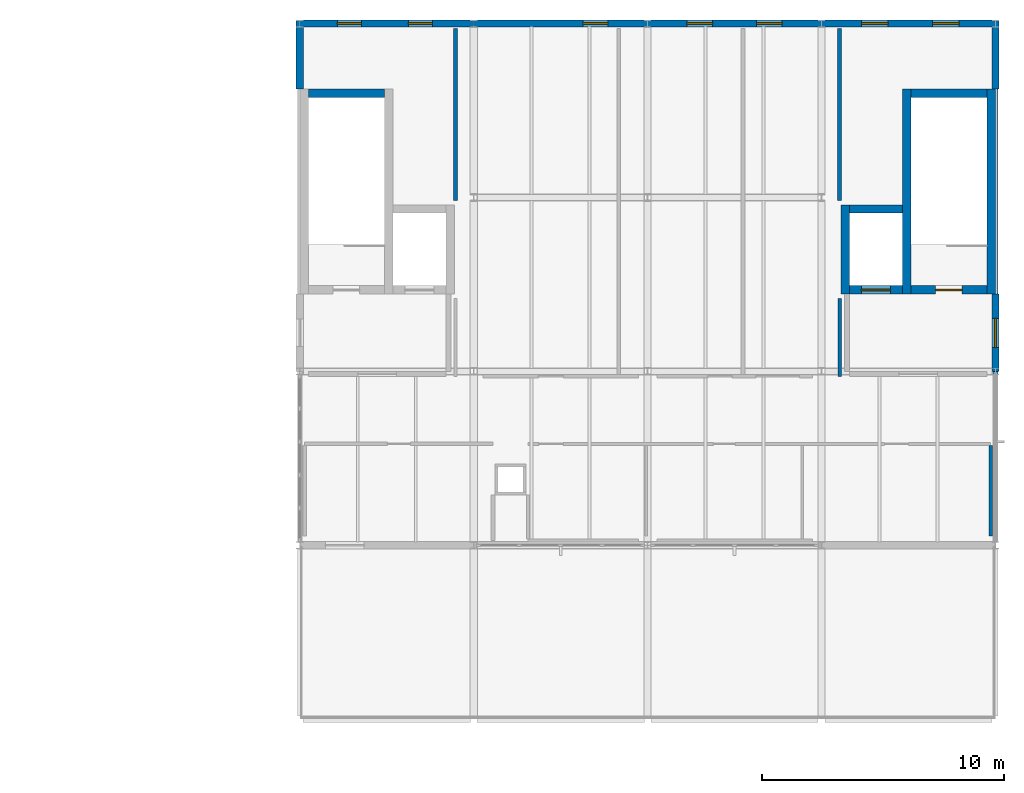
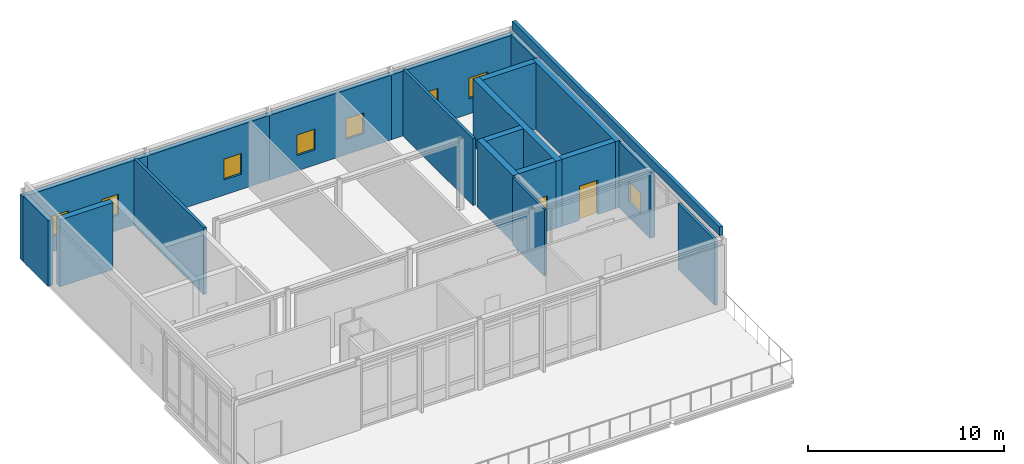
# One storey, part 17 of 21: 20 walls, 8 windows, 2 doors, 10 openings.
"""IFC4 building model written with IfcOpenShell, lengths in metres."""

from ifc_helpers import new_model, si_unit, direction, frame, frame_2d, origin, place, context, subcontext, project, spatial, rectangle, extrude, material, layer, layer_set, type_object, element, fill, save


model = new_model("IFC4")

# Units and contexts
model_context = context("Model", 3, precision=1e-05, world=origin(), true_north=direction((0.0, 1.0)))
body_context = subcontext(model_context, "Body", "Model", "MODEL_VIEW")
ifc_project = project(units=[si_unit("LENGTHUNIT", "METRE"), si_unit("AREAUNIT", "SQUARE_METRE"), si_unit("VOLUMEUNIT", "CUBIC_METRE"), si_unit("PLANEANGLEUNIT", "RADIAN"), si_unit("MASSUNIT", "GRAM", prefix="KILO")], contexts=[model_context])

# Site, building, storey
site_placement = place(None, origin())
site = spatial("IfcSite", under=ifc_project, at=site_placement, CompositionType="ELEMENT")
building_placement = place(site_placement, origin())
building = spatial("IfcBuilding", under=site, at=building_placement, Name="Zarrinpeak Specialist Clinic", CompositionType="ELEMENT")
storey_placement = place(building_placement, frame((0.0, 0.0, 22.800048828125)))
storey = spatial("IfcBuildingStorey", under=building, at=storey_placement, Name="L05", CompositionType="ELEMENT", Elevation=22.800048828125)

# Wall
ifc_material_1 = material(Name="Concrete C40/50", Category="concrete")
ifc_layer_1 = layer(ifc_material_1, 0.35009765625)
ifc_layer_set_1 = layer_set([ifc_layer_1], Name="Concrete C40/50")
wall_type_1 = type_object("IfcWallType", Name="WL-CR350", PredefinedType="SHEAR", material=ifc_layer_set_1)
wall_1_placement = place(storey_placement, frame((36.35009765625, 115.125, 0.0), z_axis=(0.0, 0.0, 1.0), x_axis=(1.0, 0.0, 0.0)))
element("IfcWall", 1, at=wall_1_placement, inside=storey, type_object=wall_type_1, Name="L05 Core C11 Shear Wall STN", PredefinedType="SHEAR", context=body_context, shape_type="SweptSolid", body=[
    extrude(rectangle(XDim=3.14990234375, YDim=0.35009765625, at=frame_2d((1.574951171875, 0.0))), origin(), (0.0, 0.0, 1.0), 4.179931640625),
])

# Wall, opening, door
wall_2_placement = place(storey_placement, frame((61.300048828125, 106.97509765625, 0.0), z_axis=(0.0, 0.0, 1.0), x_axis=(1.0, 0.0, 0.0)))
wall_2 = element("IfcWall", 2, at=wall_2_placement, inside=storey, type_object=wall_type_1, Name="L05 Core C12 Shear Wall STS", PredefinedType="SHEAR", context=body_context, shape_type="SweptSolid", body=[
    extrude(rectangle(XDim=3.14990234375, YDim=0.35009765625, at=frame_2d((1.574951171875, 0.0))), origin(), (0.0, 0.0, 1.0), 4.179931640625),
])
opening_1_placement = place(wall_2_placement, frame((1.02490234375, 0.0, 0.0)))
opening_1 = element("IfcOpeningElement", 3, at=opening_1_placement, cuts=wall_2, Name="Opening D-S02", PredefinedType="OPENING", context=body_context, shape_type="SweptSolid", body=[
    extrude(rectangle(XDim=1.10009765625, YDim=2.14990234375, at=frame_2d((0.550048828125, 1.074951171875))), frame((0.0, 0.18505859375, 0.0), z_axis=(0.0, -1.0, 0.0), x_axis=(1.0, 0.0, 0.0)), (0.0, 0.0, 1.0), 0.3701171875),
])
ifc_material_2 = material(Name="Powder-Coated Galvanised Steel", Category="steel")
door_type_1 = type_object("IfcDoorType", Name="DR-FD110", OperationType="SINGLE_SWING_RIGHT", PredefinedType="DOOR", material=ifc_material_2)
door_1_placement = place(opening_1_placement, origin())
door_1 = element("IfcDoor", 4, at=door_1_placement, inside=storey, type_object=door_type_1, Name="L05 Protected Stair ST-12 Fire Door", OperationType="SINGLE_SWING_RIGHT", OverallHeight=2.14990234375, OverallWidth=1.10009765625, PredefinedType="DOOR", context=body_context, shape_type="SweptSolid", body=[
    extrude(rectangle(XDim=1.10009765625, YDim=2.14990234375, at=frame_2d((0.550048828125, 1.074951171875))), frame((0.0, 0.02490234375, 0.0), z_axis=(0.0, -1.0, 0.0), x_axis=(1.0, 0.0, 0.0)), (0.0, 0.0, 1.0), 0.050048828125),
])
fill(opening_1, door_1)

# Walls
wall_3_placement = place(storey_placement, frame((61.300048828125, 115.125, 0.0), z_axis=(0.0, 0.0, 1.0), x_axis=(1.0, 0.0, 0.0)))
element("IfcWall", 5, at=wall_3_placement, inside=storey, type_object=wall_type_1, Name="L05 Core C12 Shear Wall STN", PredefinedType="SHEAR", context=body_context, shape_type="SweptSolid", body=[
    extrude(rectangle(XDim=3.14990234375, YDim=0.35009765625, at=frame_2d((1.574951171875, 0.0))), origin(), (0.0, 0.0, 1.0), 4.179931640625),
])
for number, where, z_axis, x_axis, name in (
    (6, (61.125, 106.800048828125, 0.0), (0.0, 0.0, 1.0), (0.0, 1.0, 0.0), "L05 Core C12 Shear Wall STW"),
    (7, (64.625, 106.800048828125, 0.0), (0.0, 0.0, 1.0), (0.0, 1.0, 0.0), "L05 Core C12 Shear Wall STE"),
):
    element("IfcWall", number, at=place(storey_placement, frame(where, z_axis=z_axis, x_axis=x_axis)), inside=storey, type_object=wall_type_1, Name=name, PredefinedType="SHEAR", context=body_context, shape_type="SweptSolid", body=[
        extrude(rectangle(XDim=8.5, YDim=0.35009765625, at=frame_2d((4.25, 0.0))), origin(), (0.0, 0.0, 1.0), 4.179931640625),
    ])

# Wall, opening, door
wall_4_placement = place(storey_placement, frame((58.75, 106.97509765625, 0.0), z_axis=(0.0, 0.0, 1.0), x_axis=(1.0, 0.0, 0.0)))
wall_4 = element("IfcWall", 8, at=wall_4_placement, inside=storey, type_object=wall_type_1, Name="L05 Lift LF-P6 Shaft Wall LFS", PredefinedType="SHEAR", context=body_context, shape_type="SweptSolid", body=[
    extrude(rectangle(XDim=2.199951171875, YDim=0.35009765625, at=frame_2d((1.10009765625, 0.0))), origin(), (0.0, 0.0, 1.0), 4.179931640625),
])
opening_2_placement = place(wall_4_placement, frame((0.5, 0.0, 0.0)))
opening_2 = element("IfcOpeningElement", 9, at=opening_2_placement, cuts=wall_4, Name="Opening LD-02", PredefinedType="OPENING", context=body_context, shape_type="SweptSolid", body=[
    extrude(rectangle(XDim=1.199951171875, YDim=2.199951171875, at=frame_2d((0.60009765625, 1.10009765625))), frame((0.0, 0.18505859375, 0.0), z_axis=(0.0, -1.0, 0.0), x_axis=(1.0, 0.0, 0.0)), (0.0, 0.0, 1.0), 0.3701171875),
])
door_type_2 = type_object("IfcDoorType", Name="DR-LD120", OperationType="SLIDING_TO_RIGHT", PredefinedType="DOOR", material=ifc_material_2)
door_2_placement = place(opening_2_placement, origin())
door_2 = element("IfcDoor", 10, at=door_2_placement, inside=storey, type_object=door_type_2, Name="L05 Lift LF-P6 Sliding Landing Door", OperationType="SLIDING_TO_RIGHT", OverallHeight=2.199951171875, OverallWidth=1.199951171875, PredefinedType="DOOR", context=body_context, shape_type="SweptSolid", body=[
    extrude(rectangle(XDim=1.199951171875, YDim=2.199951171875, at=frame_2d((0.60009765625, 1.10009765625))), frame((0.0, 0.02490234375, 0.0), z_axis=(0.0, -1.0, 0.0), x_axis=(1.0, 0.0, 0.0)), (0.0, 0.0, 1.0), 0.050048828125),
])
fill(opening_2, door_2)

# Walls
wall_5_placement = place(storey_placement, frame((58.75, 110.324951171875, 0.0), z_axis=(0.0, 0.0, 1.0), x_axis=(1.0, 0.0, 0.0)))
element("IfcWall", 11, at=wall_5_placement, inside=storey, type_object=wall_type_1, Name="L05 Lift LF-P6 Shaft Wall LFN", PredefinedType="SHEAR", context=body_context, shape_type="SweptSolid", body=[
    extrude(rectangle(XDim=2.199951171875, YDim=0.35009765625, at=frame_2d((1.10009765625, 0.0))), origin(), (0.0, 0.0, 1.0), 4.179931640625),
])
wall_6_placement = place(storey_placement, frame((58.574951171875, 106.800048828125, 0.0), z_axis=(0.0, 0.0, 1.0), x_axis=(0.0, 1.0, 0.0)))
element("IfcWall", 12, at=wall_6_placement, inside=storey, type_object=wall_type_1, Name="L05 Lift LF-P6 Shaft Wall LFW", PredefinedType="SHEAR", context=body_context, shape_type="SweptSolid", body=[
    extrude(rectangle(XDim=3.699951171875, YDim=0.35009765625, at=frame_2d((1.85009765625, 0.0))), origin(), (0.0, 0.0, 1.0), 4.179931640625),
])

# Wall, openings, windows
ifc_material_3 = material(Name="Precast concrete C40/50", Category="concrete")
ifc_layer_2 = layer(ifc_material_3, 0.300048828125)
ifc_layer_set_2 = layer_set([ifc_layer_2], Name="Precast concrete C40/50")
wall_type_2 = type_object("IfcWallType", Name="WL-EW300", PredefinedType="STANDARD", material=ifc_layer_set_2)
wall_7_placement = place(storey_placement, frame((43.199951171875, 118.0, 0.0), z_axis=(0.0, 0.0, 1.0), x_axis=(-1.0, 0.0, 0.0)))
wall_7 = element("IfcWall", 13, at=wall_7_placement, inside=storey, type_object=wall_type_2, Name="L05 V6 Exterior GRC Wall EW-L05-V6-0323", PredefinedType="STANDARD", context=body_context, shape_type="SweptSolid", body=[
    extrude(rectangle(XDim=7.349853515625, YDim=0.300048828125, at=frame_2d((3.6748046875, 0.0))), origin(), (0.0, 0.0, 1.0), 4.034912109375),
])
opening_3_placement = place(wall_7_placement, frame((1.70703125, 0.0, 0.949951171875)))
opening_3 = element("IfcOpeningElement", 14, at=opening_3_placement, cuts=wall_7, Name="Opening WS-18", PredefinedType="OPENING", context=body_context, shape_type="SweptSolid", body=[
    extrude(rectangle(XDim=0.99609375, YDim=1.2958984375, at=frame_2d((0.498046875, 0.64794921875))), frame((0.0, 0.16015625, 0.0), z_axis=(0.0, -1.0, 0.0), x_axis=(1.0, 0.0, 0.0)), (0.0, 0.0, 1.0), 0.320068359375),
])
opening_4_placement = place(wall_7_placement, frame((4.64697265625, 0.0, 0.949951171875)))
opening_4 = element("IfcOpeningElement", 15, at=opening_4_placement, cuts=wall_7, Name="Opening WS-18", PredefinedType="OPENING", context=body_context, shape_type="SweptSolid", body=[
    extrude(rectangle(XDim=0.99609375, YDim=1.2958984375, at=frame_2d((0.498046875, 0.64794921875))), frame((0.0, 0.16015625, 0.0), z_axis=(0.0, -1.0, 0.0), x_axis=(1.0, 0.0, 0.0)), (0.0, 0.0, 1.0), 0.320068359375),
])
ifc_material_4 = material(Name="Thermally Broken Aluminium and Low-E Glazing", Category="aluminium")
window_type_1 = type_object("IfcWindowType", Name="WN-SP18", PartitioningType="SINGLE_PANEL", PredefinedType="WINDOW", material=ifc_material_4)
window_1_placement = place(opening_3_placement, origin())
window_1 = element("IfcWindow", 16, at=window_1_placement, inside=storey, type_object=window_type_1, Name="L05 Modular Facade Window WN-L05-0360", OverallHeight=1.2958984375, OverallWidth=0.99609375, PartitioningType="SINGLE_PANEL", PredefinedType="WINDOW", context=body_context, shape_type="SweptSolid", body=[
    extrude(rectangle(XDim=0.99609375, YDim=1.2958984375, at=frame_2d((0.498046875, 0.64794921875))), frame((0.0, 0.030029296875, 0.0), z_axis=(0.0, -1.0, 0.0), x_axis=(1.0, 0.0, 0.0)), (0.0, 0.0, 1.0), 0.06005859375),
])
fill(opening_3, window_1)
window_2_placement = place(opening_4_placement, origin())
window_2 = element("IfcWindow", 17, at=window_2_placement, inside=storey, type_object=window_type_1, Name="L05 Modular Facade Window WN-L05-0361", OverallHeight=1.2958984375, OverallWidth=0.99609375, PartitioningType="SINGLE_PANEL", PredefinedType="WINDOW", context=body_context, shape_type="SweptSolid", body=[
    extrude(rectangle(XDim=0.99609375, YDim=1.2958984375, at=frame_2d((0.498046875, 0.64794921875))), frame((0.0, 0.030029296875, 0.0), z_axis=(0.0, -1.0, 0.0), x_axis=(1.0, 0.0, 0.0)), (0.0, 0.0, 1.0), 0.06005859375),
])
fill(opening_4, window_2)

# Wall, opening, window
wall_8_placement = place(storey_placement, frame((50.39990234375, 118.0, 0.0), z_axis=(0.0, 0.0, 1.0), x_axis=(-1.0, 0.0, 0.0)))
wall_8 = element("IfcWall", 18, at=wall_8_placement, inside=storey, type_object=wall_type_2, Name="L05 V6 Exterior GRC Wall EW-L05-V6-0324", PredefinedType="STANDARD", context=body_context, shape_type="SweptSolid", body=[
    extrude(rectangle(XDim=7.199951171875, YDim=0.300048828125, at=frame_2d((3.60009765625, 0.0))), origin(), (0.0, 0.0, 1.0), 4.034912109375),
])
opening_5_placement = place(wall_8_placement, frame((1.64501953125, 0.0, 0.949951171875)))
opening_5 = element("IfcOpeningElement", 19, at=opening_5_placement, cuts=wall_8, Name="Opening WS-19", PredefinedType="OPENING", context=body_context, shape_type="SweptSolid", body=[
    extrude(rectangle(XDim=1.030029296875, YDim=1.2958984375, at=frame_2d((0.51513671875, 0.64794921875))), frame((0.0, 0.16015625, 0.0), z_axis=(0.0, -1.0, 0.0), x_axis=(1.0, 0.0, 0.0)), (0.0, 0.0, 1.0), 0.320068359375),
])
window_type_2 = type_object("IfcWindowType", Name="WN-SP19", PartitioningType="SINGLE_PANEL", PredefinedType="WINDOW", material=ifc_material_4)
window_3_placement = place(opening_5_placement, origin())
window_3 = element("IfcWindow", 20, at=window_3_placement, inside=storey, type_object=window_type_2, Name="L05 Modular Facade Window WN-L05-0362", OverallHeight=1.2958984375, OverallWidth=1.030029296875, PartitioningType="SINGLE_PANEL", PredefinedType="WINDOW", context=body_context, shape_type="SweptSolid", body=[
    extrude(rectangle(XDim=1.030029296875, YDim=1.2958984375, at=frame_2d((0.51513671875, 0.64794921875))), frame((0.0, 0.030029296875, 0.0), z_axis=(0.0, -1.0, 0.0), x_axis=(1.0, 0.0, 0.0)), (0.0, 0.0, 1.0), 0.06005859375),
])
fill(opening_5, window_3)

# Wall, openings, windows
wall_9_placement = place(storey_placement, frame((57.60009765625, 118.0, 0.0), z_axis=(0.0, 0.0, 1.0), x_axis=(-1.0, 0.0, 0.0)))
wall_9 = element("IfcWall", 21, at=wall_9_placement, inside=storey, type_object=wall_type_2, Name="L05 V6 Exterior GRC Wall EW-L05-V6-0325", PredefinedType="STANDARD", context=body_context, shape_type="SweptSolid", body=[
    extrude(rectangle(XDim=7.2001953125, YDim=0.300048828125, at=frame_2d((3.60009765625, 0.0))), origin(), (0.0, 0.0, 1.0), 4.034912109375),
])
opening_6_placement = place(wall_9_placement, frame((1.6279296875, 0.0, 0.949951171875)))
opening_6 = element("IfcOpeningElement", 22, at=opening_6_placement, cuts=wall_9, Name="Opening WS-20", PredefinedType="OPENING", context=body_context, shape_type="SweptSolid", body=[
    extrude(rectangle(XDim=1.06396484375, YDim=1.2958984375, at=frame_2d((0.531982421875, 0.64794921875))), frame((0.0, 0.16015625, 0.0), z_axis=(0.0, -1.0, 0.0), x_axis=(1.0, 0.0, 0.0)), (0.0, 0.0, 1.0), 0.320068359375),
])
opening_7_placement = place(wall_9_placement, frame((4.508056640625, 0.0, 0.949951171875)))
opening_7 = element("IfcOpeningElement", 23, at=opening_7_placement, cuts=wall_9, Name="Opening WS-20", PredefinedType="OPENING", context=body_context, shape_type="SweptSolid", body=[
    extrude(rectangle(XDim=1.06396484375, YDim=1.2958984375, at=frame_2d((0.531982421875, 0.64794921875))), frame((0.0, 0.16015625, 0.0), z_axis=(0.0, -1.0, 0.0), x_axis=(1.0, 0.0, 0.0)), (0.0, 0.0, 1.0), 0.320068359375),
])
window_type_3 = type_object("IfcWindowType", Name="WN-SP20", PartitioningType="SINGLE_PANEL", PredefinedType="WINDOW", material=ifc_material_4)
window_4_placement = place(opening_6_placement, origin())
window_4 = element("IfcWindow", 24, at=window_4_placement, inside=storey, type_object=window_type_3, Name="L05 Modular Facade Window WN-L05-0363", OverallHeight=1.2958984375, OverallWidth=1.06396484375, PartitioningType="SINGLE_PANEL", PredefinedType="WINDOW", context=body_context, shape_type="SweptSolid", body=[
    extrude(rectangle(XDim=1.06396484375, YDim=1.2958984375, at=frame_2d((0.531982421875, 0.64794921875))), frame((0.0, 0.030029296875, 0.0), z_axis=(0.0, -1.0, 0.0), x_axis=(1.0, 0.0, 0.0)), (0.0, 0.0, 1.0), 0.06005859375),
])
fill(opening_6, window_4)
window_5_placement = place(opening_7_placement, origin())
window_5 = element("IfcWindow", 25, at=window_5_placement, inside=storey, type_object=window_type_3, Name="L05 Modular Facade Window WN-L05-0364", OverallHeight=1.2958984375, OverallWidth=1.06396484375, PartitioningType="SINGLE_PANEL", PredefinedType="WINDOW", context=body_context, shape_type="SweptSolid", body=[
    extrude(rectangle(XDim=1.06396484375, YDim=1.2958984375, at=frame_2d((0.531982421875, 0.64794921875))), frame((0.0, 0.030029296875, 0.0), z_axis=(0.0, -1.0, 0.0), x_axis=(1.0, 0.0, 0.0)), (0.0, 0.0, 1.0), 0.06005859375),
])
fill(opening_7, window_5)

wall_10_placement = place(storey_placement, frame((64.949951171875, 118.0, 0.0), z_axis=(0.0, 0.0, 1.0), x_axis=(-1.0, 0.0, 0.0)))
wall_10 = element("IfcWall", 26, at=wall_10_placement, inside=storey, type_object=wall_type_2, Name="L05 V6 Exterior GRC Wall EW-L05-V6-0326", PredefinedType="STANDARD", context=body_context, shape_type="SweptSolid", body=[
    extrude(rectangle(XDim=7.349853515625, YDim=0.300048828125, at=frame_2d((3.6748046875, 0.0))), origin(), (0.0, 0.0, 1.0), 4.034912109375),
])
opening_8_placement = place(wall_10_placement, frame((1.656005859375, 0.0, 0.949951171875)))
opening_8 = element("IfcOpeningElement", 27, at=opening_8_placement, cuts=wall_10, Name="Opening WS-21", PredefinedType="OPENING", context=body_context, shape_type="SweptSolid", body=[
    extrude(rectangle(XDim=1.097900390625, YDim=1.2958984375, at=frame_2d((0.548828125, 0.64794921875))), frame((0.0, 0.16015625, 0.0), z_axis=(0.0, -1.0, 0.0), x_axis=(1.0, 0.0, 0.0)), (0.0, 0.0, 1.0), 0.320068359375),
])
opening_9_placement = place(wall_10_placement, frame((4.595947265625, 0.0, 0.949951171875)))
opening_9 = element("IfcOpeningElement", 28, at=opening_9_placement, cuts=wall_10, Name="Opening WS-21", PredefinedType="OPENING", context=body_context, shape_type="SweptSolid", body=[
    extrude(rectangle(XDim=1.097900390625, YDim=1.2958984375, at=frame_2d((0.548828125, 0.64794921875))), frame((0.0, 0.16015625, 0.0), z_axis=(0.0, -1.0, 0.0), x_axis=(1.0, 0.0, 0.0)), (0.0, 0.0, 1.0), 0.320068359375),
])
window_type_4 = type_object("IfcWindowType", Name="WN-SP21", PartitioningType="SINGLE_PANEL", PredefinedType="WINDOW", material=ifc_material_4)
window_6_placement = place(opening_8_placement, origin())
window_6 = element("IfcWindow", 29, at=window_6_placement, inside=storey, type_object=window_type_4, Name="L05 Modular Facade Window WN-L05-0365", OverallHeight=1.2958984375, OverallWidth=1.097900390625, PartitioningType="SINGLE_PANEL", PredefinedType="WINDOW", context=body_context, shape_type="SweptSolid", body=[
    extrude(rectangle(XDim=1.097900390625, YDim=1.2958984375, at=frame_2d((0.548828125, 0.64794921875))), frame((0.0, 0.030029296875, 0.0), z_axis=(0.0, -1.0, 0.0), x_axis=(1.0, 0.0, 0.0)), (0.0, 0.0, 1.0), 0.06005859375),
])
fill(opening_8, window_6)
window_7_placement = place(opening_9_placement, origin())
window_7 = element("IfcWindow", 30, at=window_7_placement, inside=storey, type_object=window_type_4, Name="L05 Modular Facade Window WN-L05-0366", OverallHeight=1.2958984375, OverallWidth=1.097900390625, PartitioningType="SINGLE_PANEL", PredefinedType="WINDOW", context=body_context, shape_type="SweptSolid", body=[
    extrude(rectangle(XDim=1.097900390625, YDim=1.2958984375, at=frame_2d((0.548828125, 0.64794921875))), frame((0.0, 0.030029296875, 0.0), z_axis=(0.0, -1.0, 0.0), x_axis=(1.0, 0.0, 0.0)), (0.0, 0.0, 1.0), 0.06005859375),
])
fill(opening_9, window_7)

# Wall
wall_11_placement = place(storey_placement, frame((36.0, 117.85009765625, 0.0), z_axis=(0.0, 0.0, 1.0), x_axis=(0.0, -1.0, 0.0)))
element("IfcWall", 31, at=wall_11_placement, inside=storey, type_object=wall_type_2, Name="L05 V6 Exterior GRC Wall EW-L05-V6-0328", PredefinedType="STANDARD", context=body_context, shape_type="SweptSolid", body=[
    extrude(rectangle(XDim=2.550048828125, YDim=0.300048828125, at=frame_2d((1.27490234375, 0.0))), origin(), (0.0, 0.0, 1.0), 4.10986328125),
])

# Wall, opening, window
wall_12_placement = place(storey_placement, frame((64.800048828125, 103.60009765625, 0.0), z_axis=(0.0, 0.0, 1.0), x_axis=(0.0, 1.0, 0.0)))
wall_12 = element("IfcWall", 32, at=wall_12_placement, inside=storey, type_object=wall_type_2, Name="L05 V6 Exterior GRC Wall EW-L05-V6-0329", PredefinedType="STANDARD", context=body_context, shape_type="SweptSolid", body=[
    extrude(rectangle(XDim=3.199951171875, YDim=0.300048828125, at=frame_2d((1.60009765625, 0.0))), origin(), (0.0, 0.0, 1.0), 4.10986328125),
])
opening_10_placement = place(wall_12_placement, frame((1.0, 0.0, 0.949951171875)))
opening_10 = element("IfcOpeningElement", 33, at=opening_10_placement, cuts=wall_12, Name="Opening WS-24", PredefinedType="OPENING", context=body_context, shape_type="SweptSolid", body=[
    extrude(rectangle(XDim=1.199951171875, YDim=1.2958984375, at=frame_2d((0.60009765625, 0.64794921875))), frame((0.0, 0.16015625, 0.0), z_axis=(0.0, -1.0, 0.0), x_axis=(1.0, 0.0, 0.0)), (0.0, 0.0, 1.0), 0.320068359375),
])
window_type_5 = type_object("IfcWindowType", Name="WN-SP24", PartitioningType="SINGLE_PANEL", PredefinedType="WINDOW", material=ifc_material_4)
window_8_placement = place(opening_10_placement, origin())
window_8 = element("IfcWindow", 34, at=window_8_placement, inside=storey, type_object=window_type_5, Name="L05 Modular Facade Window WN-L05-0368", OverallHeight=1.2958984375, OverallWidth=1.199951171875, PartitioningType="SINGLE_PANEL", PredefinedType="WINDOW", context=body_context, shape_type="SweptSolid", body=[
    extrude(rectangle(XDim=1.199951171875, YDim=1.2958984375, at=frame_2d((0.60009765625, 0.64794921875))), frame((0.0, 0.030029296875, 0.0), z_axis=(0.0, -1.0, 0.0), x_axis=(1.0, 0.0, 0.0)), (0.0, 0.0, 1.0), 0.06005859375),
])
fill(opening_10, window_8)

# Walls
wall_13_placement = place(storey_placement, frame((64.800048828125, 115.300048828125, 0.0), z_axis=(0.0, 0.0, 1.0), x_axis=(0.0, 1.0, 0.0)))
element("IfcWall", 35, at=wall_13_placement, inside=storey, type_object=wall_type_2, Name="L05 V6 Exterior GRC Wall EW-L05-V6-0330", PredefinedType="STANDARD", context=body_context, shape_type="SweptSolid", body=[
    extrude(rectangle(XDim=2.550048828125, YDim=0.300048828125, at=frame_2d((1.27490234375, 0.0))), origin(), (0.0, 0.0, 1.0), 4.10986328125),
])
ifc_material_5 = material(Name="Standard Drywall Partition", Category="gypsum")
ifc_layer_3 = layer(ifc_material_5, 0.135009765625)
ifc_layer_set_3 = layer_set([ifc_layer_3], Name="Standard Drywall Partition")
wall_type_3 = type_object("IfcWallType", Name="WL-IW135", PredefinedType="PARTITIONING", material=ifc_layer_set_3)
wall_14_placement = place(storey_placement, frame((58.35009765625, 103.39990234375, 0.0), z_axis=(0.0, 0.0, 1.0), x_axis=(0.0, 1.0, 0.0)))
element("IfcWall", 36, at=wall_14_placement, inside=storey, type_object=wall_type_3, Name="L05 Clinical Governance Boardroom Dividing Partition", PredefinedType="PARTITIONING", context=body_context, shape_type="SweptSolid", body=[
    extrude(rectangle(XDim=3.22509765625, YDim=0.135009765625, at=frame_2d((1.612548828125, 0.0))), origin(), (0.0, 0.0, 1.0), 4.179931640625),
])
ifc_material_6 = material(Name="Insulated Clinical Gypsum Stud Partition", Category="gypsum")
ifc_layer_4 = layer(ifc_material_6, 0.14990234375)
ifc_layer_set_4 = layer_set([ifc_layer_4], Name="Insulated Clinical Gypsum Stud Partition")
wall_type_4 = type_object("IfcWallType", Name="WL-IW150", PredefinedType="PARTITIONING", material=ifc_layer_set_4)
wall_15_placement = place(storey_placement, frame((64.60009765625, 96.780029296875, 0.0), z_axis=(0.0, 0.0, 1.0), x_axis=(0.0, 1.0, 0.0)))
element("IfcWall", 37, at=wall_15_placement, inside=storey, type_object=wall_type_4, Name="L05 Quality Safety Analytics Office Dividing Partition", PredefinedType="PARTITIONING", context=body_context, shape_type="SweptSolid", body=[
    extrude(rectangle(XDim=3.757568359375, YDim=0.14990234375, at=frame_2d((1.87890625, 0.0))), origin(), (0.0, 0.0, 1.0), 4.10986328125),
])
ifc_material_7 = material(Name="Acoustic Double Gypsum Stud Partition", Category="gypsum")
ifc_layer_5 = layer(ifc_material_7, 0.159912109375)
ifc_layer_set_5 = layer_set([ifc_layer_5], Name="Acoustic Double Gypsum Stud Partition")
wall_type_5 = type_object("IfcWallType", Name="WL-IW160", PredefinedType="PARTITIONING", material=ifc_layer_set_5)
for number, where, z_axis, x_axis, name in (
    (38, (42.449951171875, 110.675048828125, 0.0), (0.0, 0.0, 1.0), (0.0, 1.0, 0.0), "L05 Specialist Consultation Room 2 Dividing Partition"),
    (39, (58.35009765625, 110.675048828125, 0.0), (0.0, 0.0, 1.0), (0.0, 1.0, 0.0), "L05 Clinical Governance Boardroom Dividing Partition"),
):
    element("IfcWall", number, at=place(storey_placement, frame(where, z_axis=z_axis, x_axis=x_axis)), inside=storey, type_object=wall_type_5, Name=name, PredefinedType="PARTITIONING", context=body_context, shape_type="SweptSolid", body=[
        extrude(rectangle(XDim=7.125, YDim=0.159912109375, at=frame_2d((3.5625, 0.0))), origin(), (0.0, 0.0, 1.0), 4.179931640625),
    ])
ifc_layer_6 = layer(ifc_material_3, 0.199951171875)
ifc_layer_set_6 = layer_set([ifc_layer_6], Name="Precast concrete C40/50")
wall_type_6 = type_object("IfcWallType", Name="WL-PAR200", PredefinedType="PARAPET", material=ifc_layer_set_6)
wall_16_placement = place(storey_placement, frame((64.800048828125, 96.60009765625, 4.39990234375), z_axis=(0.0, 0.0, 1.0), x_axis=(0.0, 1.0, 0.0)))
element("IfcWall", 40, at=wall_16_placement, inside=storey, type_object=wall_type_6, Name="V6 Eave Gutter Parapet Upstand PAR-RF-04", PredefinedType="PARAPET", context=body_context, shape_type="SweptSolid", body=[
    extrude(rectangle(XDim=21.199951171875, YDim=0.199951171875, at=frame_2d((10.60009765625, 0.0))), origin(), (0.0, 0.0, 1.0), 0.550048828125),
])

save(model, "model.ifc")
